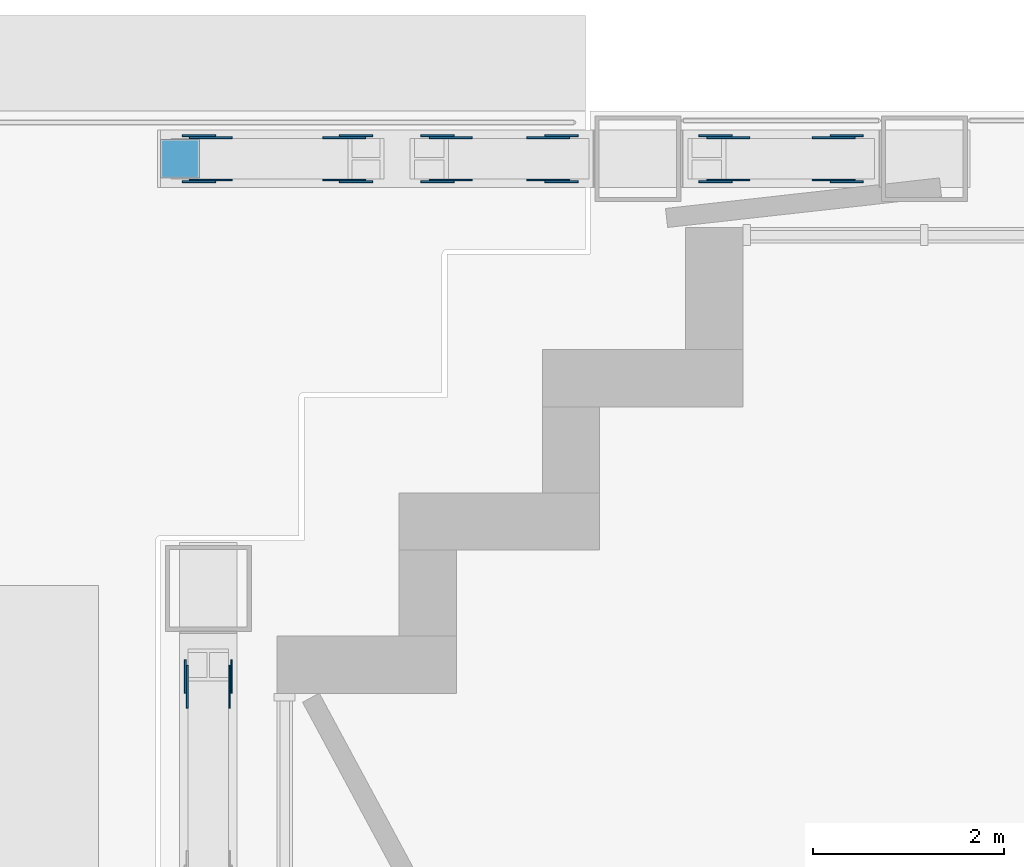
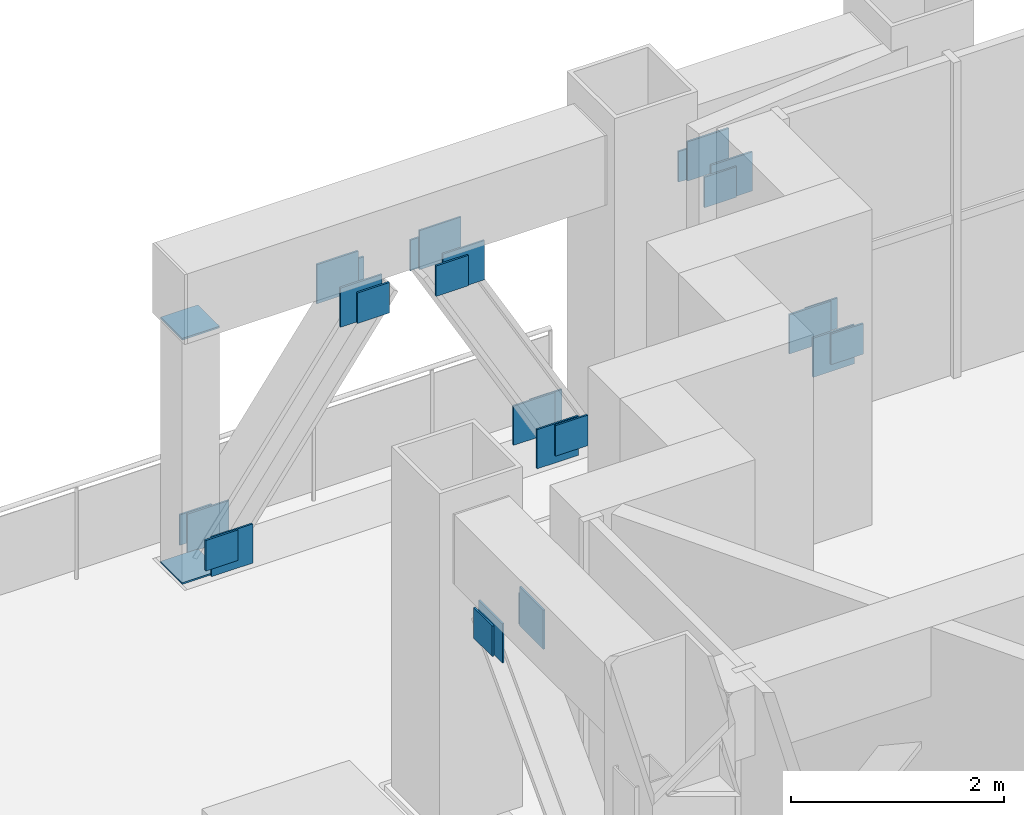
# One storey, part 14 of 19: 30 discrete accessories.
"""IFC4 building model written with IfcOpenShell, lengths in metres."""

from ifc_helpers import new_model, si_unit, direction, frame, origin, origin_2d, place, context, subcontext, project, spatial, rectangle, extrude, element, save


model = new_model("IFC4")

# Units and contexts
model_context = context("Model", 3, precision=1e-05, world=origin(), true_north=direction((0.0, 1.0)))
body_context = subcontext(model_context, "Body", "Model", "MODEL_VIEW")
ifc_project = project(units=[si_unit("LENGTHUNIT", "METRE"), si_unit("AREAUNIT", "SQUARE_METRE"), si_unit("VOLUMEUNIT", "CUBIC_METRE"), si_unit("PLANEANGLEUNIT", "RADIAN"), si_unit("MASSUNIT", "GRAM", prefix="KILO")], contexts=[model_context])

# Site, building, storey
site_placement = place(None, origin())
site = spatial("IfcSite", under=ifc_project, at=site_placement, CompositionType="ELEMENT")
building_placement = place(site_placement, origin())
building = spatial("IfcBuilding", under=site, at=building_placement, Name="Vidyagriha Tower", CompositionType="ELEMENT")
storey_placement = place(building_placement, frame((0.0, 0.0, 73.60009765625)))
storey = spatial("IfcBuildingStorey", under=building, at=storey_placement, Name="L18", CompositionType="ELEMENT", Elevation=73.60009765625)

# Discrete accessories
for number, where, name in (
    (1, (-29.4755859375, 19.721923828125, 0.0), "Truss gusset plate ASTM A572 Grade 50 20mm"),
    (2, (-29.4755859375, 19.278076171875, 0.0), "Truss gusset plate ASTM A572 Grade 50 20mm"),
    (3, (-28.07421875, 19.721923828125, 2.3701171875), "Truss gusset plate ASTM A572 Grade 50 20mm"),
    (4, (-28.07421875, 19.278076171875, 2.3701171875), "Truss gusset plate ASTM A572 Grade 50 20mm"),
    (5, (-26.9599609375, 19.721923828125, 2.3701171875), "Truss gusset plate ASTM A572 Grade 50 20mm"),
    (6, (-26.9599609375, 19.278076171875, 2.3701171875), "Truss gusset plate ASTM A572 Grade 50 20mm"),
    (7, (-25.940185546875, 19.721923828125, 0.0), "Truss gusset plate ASTM A572 Grade 50 20mm"),
    (8, (-25.940185546875, 19.278076171875, 0.0), "Truss gusset plate ASTM A572 Grade 50 20mm"),
    (9, (-24.052734375, 19.721923828125, 2.3701171875), "Truss gusset plate ASTM A572 Grade 50 20mm"),
    (10, (-24.052734375, 19.278076171875, 2.3701171875), "Truss gusset plate ASTM A572 Grade 50 20mm"),
    (11, (-22.947265625, 19.721923828125, 0.0), "Truss gusset plate ASTM A572 Grade 50 20mm"),
    (12, (-22.947265625, 19.278076171875, 0.0), "Truss gusset plate ASTM A572 Grade 50 20mm"),
):
    element("IfcDiscreteAccessory", number, at=place(storey_placement, frame(where)), inside=storey, Name=name, ObjectType="GUSSET PLATE", PredefinedType="USERDEFINED", context=body_context, shape_type="SweptSolid", body=[
        extrude(rectangle(XDim=0.449951171875, YDim=0.02001953125, at=origin_2d()), origin(), (0.0, 0.0, 1.0), 0.449951171875),
    ])
for number, where, z_axis, x_axis, name in (
    (13, (-29.721923828125, 13.97119140625, 2.3701171875), (0.0, 0.0, 1.0), (0.0, 1.0, 0.0), "Truss gusset plate ASTM A572 Grade 50 20mm"),
    (14, (-29.278076171875, 13.97119140625, 2.3701171875), (0.0, 0.0, 1.0), (0.0, 1.0, 0.0), "Truss gusset plate ASTM A572 Grade 50 20mm"),
):
    element("IfcDiscreteAccessory", number, at=place(storey_placement, frame(where, z_axis=z_axis, x_axis=x_axis)), inside=storey, Name=name, ObjectType="GUSSET PLATE", PredefinedType="USERDEFINED", context=body_context, shape_type="SweptSolid", body=[
        extrude(rectangle(XDim=0.449951171875, YDim=0.02001953125, at=origin_2d()), origin(), (0.0, 0.0, 1.0), 0.449951171875),
    ])
for number, where, z_axis, x_axis, name in (
    (15, (-29.597900390625, 19.257568359375, 0.10302734375), (0.0, 0.0, 1.0), (-1.0, 0.0, 0.0), "End plate ASTM A572 Grade 50 20mm"),
    (16, (-29.597900390625, 19.742431640625, 0.10302734375), (0.0, 0.0, 1.0), (-1.0, 0.0, 0.0), "End plate ASTM A572 Grade 50 20mm"),
):
    element("IfcDiscreteAccessory", number, at=place(storey_placement, frame(where, z_axis=z_axis, x_axis=x_axis)), inside=storey, Name=name, ObjectType="END PLATE", PredefinedType="USERDEFINED", context=body_context, shape_type="SweptSolid", body=[
        extrude(rectangle(XDim=0.35009765625, YDim=0.02001953125, at=origin_2d()), origin(), (0.0, 0.0, 1.0), 0.35009765625),
    ])
for number, where, name in (
    (17, (-27.9521484375, 19.742431640625, 2.36669921875), "End plate ASTM A572 Grade 50 20mm"),
    (18, (-27.9521484375, 19.257568359375, 2.36669921875), "End plate ASTM A572 Grade 50 20mm"),
):
    element("IfcDiscreteAccessory", number, at=place(storey_placement, frame(where)), inside=storey, Name=name, ObjectType="END PLATE", PredefinedType="USERDEFINED", context=body_context, shape_type="SweptSolid", body=[
        extrude(rectangle(XDim=0.35009765625, YDim=0.02001953125, at=origin_2d()), origin(), (0.0, 0.0, 1.0), 0.35009765625),
    ])
for number, where, z_axis, x_axis, name in (
    (19, (-27.098388671875, 19.257568359375, 2.3779296875), (0.0, 0.0, 1.0), (-1.0, 0.0, 0.0), "End plate ASTM A572 Grade 50 20mm"),
    (20, (-27.098388671875, 19.742431640625, 2.3779296875), (0.0, 0.0, 1.0), (-1.0, 0.0, 0.0), "End plate ASTM A572 Grade 50 20mm"),
):
    element("IfcDiscreteAccessory", number, at=place(storey_placement, frame(where, z_axis=z_axis, x_axis=x_axis)), inside=storey, Name=name, ObjectType="END PLATE", PredefinedType="USERDEFINED", context=body_context, shape_type="SweptSolid", body=[
        extrude(rectangle(XDim=0.35009765625, YDim=0.02001953125, at=origin_2d()), origin(), (0.0, 0.0, 1.0), 0.35009765625),
    ])
for number, where, name in (
    (21, (-25.801513671875, 19.742431640625, 0.091796875), "End plate ASTM A572 Grade 50 20mm"),
    (22, (-25.801513671875, 19.257568359375, 0.091796875), "End plate ASTM A572 Grade 50 20mm"),
):
    element("IfcDiscreteAccessory", number, at=place(storey_placement, frame(where)), inside=storey, Name=name, ObjectType="END PLATE", PredefinedType="USERDEFINED", context=body_context, shape_type="SweptSolid", body=[
        extrude(rectangle(XDim=0.35009765625, YDim=0.02001953125, at=origin_2d()), origin(), (0.0, 0.0, 1.0), 0.35009765625),
    ])
for number, where, z_axis, x_axis, name in (
    (23, (-24.187255859375, 19.257568359375, 2.375), (0.0, 0.0, 1.0), (-1.0, 0.0, 0.0), "End plate ASTM A572 Grade 50 20mm"),
    (24, (-24.187255859375, 19.742431640625, 2.375), (0.0, 0.0, 1.0), (-1.0, 0.0, 0.0), "End plate ASTM A572 Grade 50 20mm"),
):
    element("IfcDiscreteAccessory", number, at=place(storey_placement, frame(where, z_axis=z_axis, x_axis=x_axis)), inside=storey, Name=name, ObjectType="END PLATE", PredefinedType="USERDEFINED", context=body_context, shape_type="SweptSolid", body=[
        extrude(rectangle(XDim=0.35009765625, YDim=0.02001953125, at=origin_2d()), origin(), (0.0, 0.0, 1.0), 0.35009765625),
    ])
for number, where, name in (
    (25, (-22.812744140625, 19.742431640625, 0.0947265625), "End plate ASTM A572 Grade 50 20mm"),
    (26, (-22.812744140625, 19.257568359375, 0.0947265625), "End plate ASTM A572 Grade 50 20mm"),
):
    element("IfcDiscreteAccessory", number, at=place(storey_placement, frame(where)), inside=storey, Name=name, ObjectType="END PLATE", PredefinedType="USERDEFINED", context=body_context, shape_type="SweptSolid", body=[
        extrude(rectangle(XDim=0.35009765625, YDim=0.02001953125, at=origin_2d()), origin(), (0.0, 0.0, 1.0), 0.35009765625),
    ])
for number, where, name in (
    (27, (-29.796875, 19.5, -0.00048828125), "End plate ASTM A572 Grade 50 20mm"),
    (28, (-29.796875, 19.5, 2.80029296875), "End plate ASTM A572 Grade 50 20mm"),
):
    element("IfcDiscreteAccessory", number, at=place(storey_placement, frame(where)), inside=storey, Name=name, ObjectType="END PLATE", PredefinedType="USERDEFINED", context=body_context, shape_type="SweptSolid", body=[
        extrude(rectangle(XDim=0.406494140625, YDim=0.406494140625, at=origin_2d()), origin(), (0.0, 0.0, 1.0), 0.02001953125),
    ])
for number, where, z_axis, x_axis, name in (
    (29, (-29.742431640625, 14.0751953125, 2.357666015625), (0.0, 0.0, 1.0), (0.0, 1.0, 0.0), "End plate ASTM A572 Grade 50 20mm"),
    (30, (-29.257568359375, 14.0751953125, 2.357666015625), (0.0, 0.0, 1.0), (0.0, 1.0, 0.0), "End plate ASTM A572 Grade 50 20mm"),
):
    element("IfcDiscreteAccessory", number, at=place(storey_placement, frame(where, z_axis=z_axis, x_axis=x_axis)), inside=storey, Name=name, ObjectType="END PLATE", PredefinedType="USERDEFINED", context=body_context, shape_type="SweptSolid", body=[
        extrude(rectangle(XDim=0.35009765625, YDim=0.02001953125, at=origin_2d()), origin(), (0.0, 0.0, 1.0), 0.35009765625),
    ])

save(model, "model.ifc")
